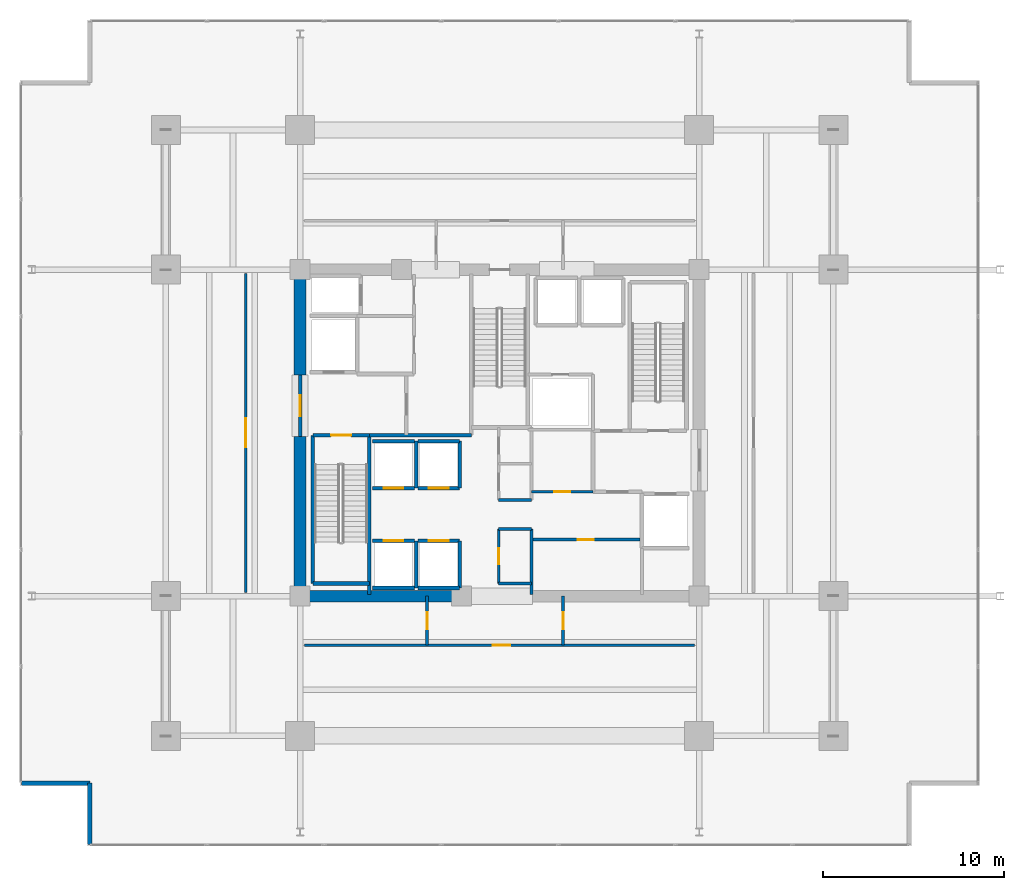
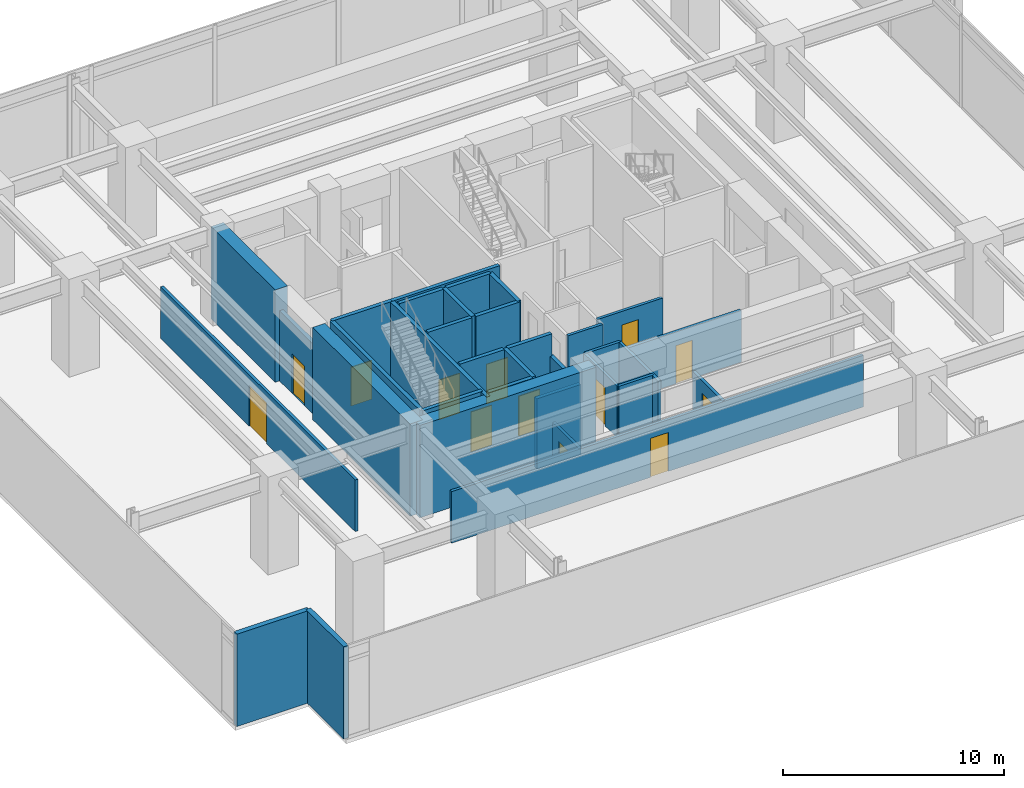
# One storey, part 20 of 23: 34 walls, 13 doors, 13 openings.
"""IFC4 building model written with IfcOpenShell, lengths in metres."""

import ifcopenshell
import ifcopenshell.guid

model = None  # the IFC model being written
_history = None  # IfcOwnerHistory: only IFC2X3 demands one
_inside = {}  # id of a spatial element -> (the spatial element, [elements in it])
_under = {}  # id of a project, library or spatial element -> (it, [spatial elements below it])
_declared = {}  # id of a project -> (the project, [libraries it declares])
_typed = {}  # id of a type object -> (the type object, [elements of that type])
_made_of = {}  # id of a material, layer set ... -> (it, [elements and type objects made of it])


def new_model(schema):
    """Start an empty IFC model of exactly this schema.

    Asked for "IFC4X3", IfcOpenShell would pick the latest addendum, in which some entities
    have other attributes; the version numbers below select the first issue.
    IFC2X3 requires an IfcOwnerHistory on every rooted entity: one is made here for all.
    """
    global model, _history
    if schema == "IFC4X3":
        model = ifcopenshell.file(schema_version=(4, 3, 0, 0))
    else:
        model = ifcopenshell.file(schema=schema)
    _inside.clear()
    _under.clear()
    _declared.clear()
    _typed.clear()
    _made_of.clear()
    _history = None
    if model.schema == "IFC2X3":
        org = make("IfcOrganization", Name="unknown")
        user = make(
            "IfcPersonAndOrganization",
            ThePerson=make("IfcPerson", FamilyName="unknown"),
            TheOrganization=org,
        )
        app = make(
            "IfcApplication",
            ApplicationDeveloper=org,
            Version="unknown",
            ApplicationFullName="unknown",
            ApplicationIdentifier="unknown",
        )
        _history = make(
            "IfcOwnerHistory",
            OwningUser=user,
            OwningApplication=app,
            ChangeAction="ADDED",
            CreationDate=0,
        )
    return model


def make(cls, **values):
    """One entity of the class cls with the attributes given. An attribute that is None is left unset."""
    return model.create_entity(
        cls, **{name: value for name, value in values.items() if value is not None}
    )


def rooted(cls, **values):
    """An entity with a GlobalId (a new one), such as an element, a storey or a relation."""
    return make(cls, GlobalId=ifcopenshell.guid.new(), OwnerHistory=_history, **values)


def si_unit(unit_type, name, prefix=None):
    """IfcSIUnit, for example si_unit("LENGTHUNIT", "METRE", prefix="MILLI")."""
    return make("IfcSIUnit", UnitType=unit_type, Prefix=prefix, Name=name)


def assignment(units):
    """IfcUnitAssignment: the units of a project."""
    return None if units is None else make("IfcUnitAssignment", Units=units)


def point(xyz):
    """IfcCartesianPoint."""
    return None if xyz is None else make("IfcCartesianPoint", Coordinates=xyz)


def direction(xyz):
    """IfcDirection."""
    return None if xyz is None else make("IfcDirection", DirectionRatios=xyz)


def frame(location, z_axis=None, x_axis=None):
    """IfcAxis2Placement3D, a coordinate frame: its origin and axes. An axis left out is left unset."""
    return make(
        "IfcAxis2Placement3D",
        Location=point(location),
        Axis=direction(z_axis),
        RefDirection=direction(x_axis),
    )


def frame_2d(location, x_axis=None):
    """IfcAxis2Placement2D, a coordinate frame in the plane: its origin and x axis."""
    return make(
        "IfcAxis2Placement2D", Location=point(location), RefDirection=direction(x_axis)
    )


def origin():
    """The frame at (0, 0, 0) with its axes left unset."""
    return frame((0.0, 0.0, 0.0))


def place(relative_to, where):
    """IfcLocalPlacement: puts the frame where relative to a parent placement (None: the world)."""
    return make(
        "IfcLocalPlacement", PlacementRelTo=relative_to, RelativePlacement=where
    )


def context(
    kind, dimensions, precision=None, world=None, true_north=None, identifier=None
):
    """IfcGeometricRepresentationContext, for example the 3D "Model" context."""
    return make(
        "IfcGeometricRepresentationContext",
        ContextIdentifier=identifier,
        ContextType=kind,
        CoordinateSpaceDimension=dimensions,
        Precision=precision,
        WorldCoordinateSystem=world,
        TrueNorth=true_north,
    )


def subcontext(parent, identifier, kind, view, scale=None):
    """IfcGeometricRepresentationSubContext, for example "Body" below "Model"."""
    return make(
        "IfcGeometricRepresentationSubContext",
        ContextIdentifier=identifier,
        ContextType=kind,
        ParentContext=parent,
        TargetScale=scale,
        TargetView=view,
    )


def project(units=None, contexts=None):
    """IfcProject with its units and contexts."""
    return rooted(
        "IfcProject",
        Name="project",
        RepresentationContexts=contexts,
        UnitsInContext=assignment(units),
    )


def spatial(cls, under=None, at=None, **own):
    """A site, building, storey or space (cls), placed at a placement, below another one or the project."""
    s = rooted(cls, ObjectPlacement=at, **own)
    if under is not None:
        _under.setdefault(under.id(), (under, []))[1].append(s)
    return s


def profile(cls, at=None, kind="AREA", **sizes):
    """A parametric profile (cls). Its sizes go by their IFC names, for example OverallWidth=200.0."""
    return make(cls, ProfileType=kind, Position=at, **sizes)


def rectangle(**sizes):
    """IfcRectangleProfileDef."""
    return profile("IfcRectangleProfileDef", **sizes)


def extrude(swept, where, along, depth):
    """IfcExtrudedAreaSolid: the profile swept, set in the frame where, extruded along a direction by depth."""
    return make(
        "IfcExtrudedAreaSolid",
        SweptArea=swept,
        Position=where,
        ExtrudedDirection=direction(along),
        Depth=depth,
    )


def shape(context_of_items, identifier, shape_type, items):
    """IfcShapeRepresentation: the items that make up one representation, for example the "Body"."""
    return make(
        "IfcShapeRepresentation",
        ContextOfItems=context_of_items,
        RepresentationIdentifier=identifier,
        RepresentationType=shape_type,
        Items=items,
    )


def material(Name=None, Category=None):
    """IfcMaterial."""
    return make("IfcMaterial", Name=Name, Category=Category)


def layer(
    of_material, thickness, ventilated=None, Name=None, Category=None, Priority=None
):
    """IfcMaterialLayer: one layer of a wall or slab, of a material (None: an air gap)."""
    return make(
        "IfcMaterialLayer",
        Material=of_material,
        LayerThickness=thickness,
        IsVentilated=ventilated,
        Name=Name,
        Category=Category,
        Priority=Priority,
    )


def layer_set(layers, Name=None):
    """IfcMaterialLayerSet."""
    return make("IfcMaterialLayerSet", MaterialLayers=layers, LayerSetName=Name)


def made_of(thing, what):
    """Note that an element or type object is made of a material, layer set ...; save() writes the relation."""
    if what is not None:
        _made_of.setdefault(what.id(), (what, []))[1].append(thing)
    return thing


def type_object(cls, material=None, **own):
    """A type object (cls), such as IfcWallType, which elements share."""
    return made_of(rooted(cls, **own), material)


def element(
    cls,
    number,
    at=None,
    inside=None,
    cuts=None,
    type_object=None,
    material=None,
    context=None,
    identifier="Body",
    shape_type=None,
    held_by="IfcProductDefinitionShape",
    body=None,
    shapes=None,
    **own,
):
    """One element of the class cls, such as IfcWall. Its Tag is "e" and its number.

    at: its placement. inside: the storey or other place that contains it. cuts: it is an
    opening in that element (IfcRelVoidsElement). A single representation is given by context,
    identifier, shape_type and body (its items); several are given by shapes. held_by: the class
    of the entity that holds the representations. save() writes the other relations.
    """
    e = rooted(cls, Tag="e%d" % number, ObjectPlacement=at, **own)
    if body is not None:
        shapes = [shape(context, identifier, shape_type, body)]
    if shapes is not None:
        e.Representation = make(held_by, Representations=shapes)
    if inside is not None:
        _inside.setdefault(inside.id(), (inside, []))[1].append(e)
    if cuts is not None:
        rooted(
            "IfcRelVoidsElement", RelatingBuildingElement=cuts, RelatedOpeningElement=e
        )
    if type_object is not None:
        _typed.setdefault(type_object.id(), (type_object, []))[1].append(e)
    return made_of(e, material)


def fill(opening, filler):
    """IfcRelFillsElement: the door or window that sits in an opening."""
    return rooted(
        "IfcRelFillsElement",
        RelatingOpeningElement=opening,
        RelatedBuildingElement=filler,
    )


def aggregate(whole, parts):
    """IfcRelAggregates: a whole, such as a stair, and the parts it consists of."""
    return rooted("IfcRelAggregates", RelatingObject=whole, RelatedObjects=parts)


def save(model, path):
    """Write the relations noted so far, then the file.

    IfcRelAggregates (storeys below a building ...), IfcRelContainedInSpatialStructure (elements
    in a storey), IfcRelDefinesByType, IfcRelAssociatesMaterial and IfcRelDeclares: one each for
    every whole, place, type object, material and project.
    """
    for whole, parts in _under.values():
        aggregate(whole, parts)
    for where, things in _inside.values():
        rooted(
            "IfcRelContainedInSpatialStructure",
            RelatedElements=things,
            RelatingStructure=where,
        )
    for kind, things in _typed.values():
        rooted("IfcRelDefinesByType", RelatedObjects=things, RelatingType=kind)
    for what, things in _made_of.values():
        rooted("IfcRelAssociatesMaterial", RelatedObjects=things, RelatingMaterial=what)
    for by, libraries in _declared.values():
        rooted("IfcRelDeclares", RelatingContext=by, RelatedDefinitions=libraries)
    model.write(path)


model = new_model("IFC4")

# Units and contexts
model_context = context("Model", 3, precision=1e-05, world=origin(), true_north=direction((0.0, 1.0)))
body_context = subcontext(model_context, "Body", "Model", "MODEL_VIEW")
ifc_project = project(units=[si_unit("LENGTHUNIT", "METRE"), si_unit("AREAUNIT", "SQUARE_METRE"), si_unit("VOLUMEUNIT", "CUBIC_METRE"), si_unit("PLANEANGLEUNIT", "RADIAN"), si_unit("MASSUNIT", "GRAM", prefix="KILO")], contexts=[model_context])

# Site, building, storey
site_placement = place(None, origin())
site = spatial("IfcSite", under=ifc_project, at=site_placement, CompositionType="ELEMENT")
building_placement = place(site_placement, origin())
building = spatial("IfcBuilding", under=site, at=building_placement, Name="Kovane Verandah Tower", CompositionType="ELEMENT")
storey_placement = place(building_placement, frame((0.0, 0.0, 107.60009765625)))
storey = spatial("IfcBuildingStorey", under=building, at=storey_placement, Name="L25", CompositionType="ELEMENT", Elevation=107.60009765625)

# Walls
ifc_material_1 = material(Name="Fire-Rated Gypsum Stud Partition", Category="gypsum")
ifc_layer_1 = layer(ifc_material_1, 0.14990234375)
ifc_layer_set_1 = layer_set([ifc_layer_1], Name="Fire-Rated Gypsum Stud Partition")
wall_type_1 = type_object("IfcWallType", Name="WL-COR-150", PredefinedType="PARTITIONING", material=ifc_layer_set_1)
for number, where, z_axis, x_axis, name in (
    (1, (39.949951171875, 19.199951171875, 0.0), (0.0, 0.0, 1.0), (1.0, 0.0, 0.0), "L25 Central Core Strip South Wall"),
    (2, (39.949951171875, 22.199951171875, 0.0), (0.0, 0.0, 1.0), (1.0, 0.0, 0.0), "L25 Core Cross-Passage South Wall"),
    (3, (39.949951171875, 23.800048828125, 0.0), (0.0, 0.0, 1.0), (1.0, 0.0, 0.0), "L25 Core Cross-Passage North Wall"),
):
    element("IfcWall", number, at=place(storey_placement, frame(where, z_axis=z_axis, x_axis=x_axis)), inside=storey, type_object=wall_type_1, Name=name, PredefinedType="PARTITIONING", context=body_context, shape_type="SweptSolid", body=[
        extrude(rectangle(XDim=1.81005859375, YDim=0.14990234375, at=frame_2d((0.905029296875, 0.0))), origin(), (0.0, 0.0, 1.0), 2.849853515625),
    ])
wall_1_placement = place(storey_placement, frame((41.760009765625, 18.60009765625, 0.0), z_axis=(0.0, 0.0, 1.0), x_axis=(0.0, 1.0, 0.0)))
element("IfcWall", 4, at=wall_1_placement, inside=storey, type_object=wall_type_1, Name="L25 Central Core Strip Lower East Wall", PredefinedType="PARTITIONING", context=body_context, shape_type="SweptSolid", body=[
    extrude(rectangle(XDim=3.599853515625, YDim=0.14990234375, at=frame_2d((1.7998046875, 0.0))), origin(), (0.0, 0.0, 1.0), 2.849853515625),
])

# Wall, opening, door
wall_2_placement = place(storey_placement, frame((39.949951171875, 19.199951171875, 0.0), z_axis=(0.0, 0.0, 1.0), x_axis=(0.0, 1.0, 0.0)))
wall_2 = element("IfcWall", 5, at=wall_2_placement, inside=storey, type_object=wall_type_1, Name="L25 Male Toilet Partition", PredefinedType="PARTITIONING", context=body_context, shape_type="SweptSolid", body=[
    extrude(rectangle(XDim=3.0, YDim=0.14990234375, at=frame_2d((1.5, 0.0))), origin(), (0.0, 0.0, 1.0), 2.849853515625),
])
opening_1_placement = place(wall_2_placement, frame((1.050048828125, 0.0, 0.0)))
opening_1 = element("IfcOpeningElement", 6, at=opening_1_placement, cuts=wall_2, Name="Opening DR-L25-024", PredefinedType="OPENING", context=body_context, shape_type="SweptSolid", body=[
    extrude(rectangle(XDim=0.89990234375, YDim=2.10009765625, at=frame_2d((0.449951171875, 1.050048828125))), frame((0.0, 0.074951171875, 0.0), z_axis=(0.0, -1.0, 0.0), x_axis=(1.0, 0.0, 0.0)), (0.0, 0.0, 1.0), 0.14990234375),
])
ifc_material_2 = material(Name="Moisture-Resistant Laminate Washroom Door", Category="wood")
door_type_1 = type_object("IfcDoorType", Name="DR-WC-900", OperationType="SINGLE_SWING_LEFT", PredefinedType="DOOR", material=ifc_material_2)
door_1_placement = place(opening_1_placement, origin())
door_1 = element("IfcDoor", 7, at=door_1_placement, inside=storey, type_object=door_type_1, Name="L25 Male Toilet Door", OperationType="SINGLE_SWING_LEFT", OverallHeight=2.10009765625, OverallWidth=0.89990234375, PredefinedType="DOOR", context=body_context, shape_type="SweptSolid", body=[
    extrude(rectangle(XDim=0.89990234375, YDim=2.10009765625, at=frame_2d((0.449951171875, 1.050048828125))), frame((0.0, 0.02490234375, 0.0), z_axis=(0.0, -1.0, 0.0), x_axis=(1.0, 0.0, 0.0)), (0.0, 0.0, 1.0), 0.050048828125),
])
fill(opening_1, door_1)

wall_3_placement = place(storey_placement, frame((41.760009765625, 21.6201171875, 0.0), z_axis=(0.0, 0.0, 1.0), x_axis=(1.0, 0.0, 0.0)))
wall_3 = element("IfcWall", 8, at=wall_3_placement, inside=storey, type_object=wall_type_1, Name="L25 Core Smoke Extract Fan Plant Room Partition", PredefinedType="PARTITIONING", context=body_context, shape_type="SweptSolid", body=[
    extrude(rectangle(XDim=5.97998046875, YDim=0.14990234375, at=frame_2d((2.989990234375, 0.0))), origin(), (0.0, 0.0, 1.0), 2.849853515625),
])
opening_2_placement = place(wall_3_placement, frame((2.550048828125, 0.0, 0.0)))
opening_2 = element("IfcOpeningElement", 9, at=opening_2_placement, cuts=wall_3, Name="Opening DR-L25-015", PredefinedType="OPENING", context=body_context, shape_type="SweptSolid", body=[
    extrude(rectangle(XDim=0.8798828125, YDim=2.10009765625, at=frame_2d((0.43994140625, 1.050048828125))), frame((0.0, 0.074951171875, 0.0), z_axis=(0.0, -1.0, 0.0), x_axis=(1.0, 0.0, 0.0)), (0.0, 0.0, 1.0), 0.14990234375),
])
ifc_material_3 = material(Name="Fire-Rated Steel Riser Access Door", Category="steel")
door_type_2 = type_object("IfcDoorType", Name="DR-RISER-880", OperationType="SINGLE_SWING_LEFT", PredefinedType="DOOR", material=ifc_material_3)
door_2_placement = place(opening_2_placement, origin())
door_2 = element("IfcDoor", 10, at=door_2_placement, inside=storey, type_object=door_type_2, Name="L25 Core Smoke Extract Fan Plant Room Door", OperationType="SINGLE_SWING_RIGHT", OverallHeight=2.10009765625, OverallWidth=0.8798828125, PredefinedType="DOOR", context=body_context, shape_type="SweptSolid", body=[
    extrude(rectangle(XDim=0.8798828125, YDim=2.10009765625, at=frame_2d((0.43994140625, 1.050048828125))), frame((0.0, 0.02490234375, 0.0), z_axis=(0.0, -1.0, 0.0), x_axis=(1.0, 0.0, 0.0)), (0.0, 0.0, 1.0), 0.050048828125),
])
fill(opening_2, door_2)

wall_4_placement = place(storey_placement, frame((41.760009765625, 24.25, 0.0), z_axis=(0.0, 0.0, 1.0), x_axis=(1.0, 0.0, 0.0)))
wall_4 = element("IfcWall", 11, at=wall_4_placement, inside=storey, type_object=wall_type_1, Name="L25 Cleaner Store Partition", PredefinedType="PARTITIONING", context=body_context, shape_type="SweptSolid", body=[
    extrude(rectangle(XDim=3.389892578125, YDim=0.14990234375, at=frame_2d((1.69482421875, 0.0))), origin(), (0.0, 0.0, 1.0), 2.849853515625),
])
opening_3_placement = place(wall_4_placement, frame((1.2548828125, 0.0, 0.0)))
opening_3 = element("IfcOpeningElement", 12, at=opening_3_placement, cuts=wall_4, Name="Opening DR-L25-016", PredefinedType="OPENING", context=body_context, shape_type="SweptSolid", body=[
    extrude(rectangle(XDim=0.8798828125, YDim=2.10009765625, at=frame_2d((0.43994140625, 1.050048828125))), frame((0.0, 0.074951171875, 0.0), z_axis=(0.0, -1.0, 0.0), x_axis=(1.0, 0.0, 0.0)), (0.0, 0.0, 1.0), 0.14990234375),
])
door_3_placement = place(opening_3_placement, origin())
door_3 = element("IfcDoor", 13, at=door_3_placement, inside=storey, type_object=door_type_2, Name="L25 Cleaner Store Door", OperationType="SINGLE_SWING_LEFT", OverallHeight=2.10009765625, OverallWidth=0.8798828125, PredefinedType="DOOR", context=body_context, shape_type="SweptSolid", body=[
    extrude(rectangle(XDim=0.8798828125, YDim=2.10009765625, at=frame_2d((0.43994140625, 1.050048828125))), frame((0.0, 0.02490234375, 0.0), z_axis=(0.0, -1.0, 0.0), x_axis=(1.0, 0.0, 0.0)), (0.0, 0.0, 1.0), 0.050048828125),
])
fill(opening_3, door_3)

wall_5_placement = place(storey_placement, frame((36.0, 15.800048828125, 0.0), z_axis=(0.0, 0.0, 1.0), x_axis=(0.0, 1.0, 0.0)))
wall_5 = element("IfcWall", 14, at=wall_5_placement, inside=storey, type_object=wall_type_1, Name="L25 South Refuge Stair Lobby West Fire Wall", PredefinedType="PARTITIONING", context=body_context, shape_type="SweptSolid", body=[
    extrude(rectangle(XDim=2.699951171875, YDim=0.14990234375, at=frame_2d((1.35009765625, 0.0))), origin(), (0.0, 0.0, 1.0), 2.849853515625),
])
opening_4_placement = place(wall_5_placement, frame((0.875, 0.0, 0.0)))
opening_4 = element("IfcOpeningElement", 15, at=opening_4_placement, cuts=wall_5, Name="Opening DR-L25-010", PredefinedType="OPENING", context=body_context, shape_type="SweptSolid", body=[
    extrude(rectangle(XDim=0.949951171875, YDim=2.14990234375, at=frame_2d((0.47509765625, 1.074951171875))), frame((0.0, 0.074951171875, 0.0), z_axis=(0.0, -1.0, 0.0), x_axis=(1.0, 0.0, 0.0)), (0.0, 0.0, 1.0), 0.14990234375),
])
ifc_material_4 = material(Name="Fire-Rated Steel Refuge and Lobby Door", Category="steel")
door_type_3 = type_object("IfcDoorType", Name="DR-FIRE-950", OperationType="SINGLE_SWING_LEFT", PredefinedType="DOOR", material=ifc_material_4)
door_4_placement = place(opening_4_placement, origin())
door_4 = element("IfcDoor", 16, at=door_4_placement, inside=storey, type_object=door_type_3, Name="L25 South Refuge Stair Lobby West Fire Door", OperationType="SINGLE_SWING_LEFT", OverallHeight=2.14990234375, OverallWidth=0.949951171875, PredefinedType="DOOR", context=body_context, shape_type="SweptSolid", body=[
    extrude(rectangle(XDim=0.949951171875, YDim=2.14990234375, at=frame_2d((0.47509765625, 1.074951171875))), frame((0.0, 0.02490234375, 0.0), z_axis=(0.0, -1.0, 0.0), x_axis=(1.0, 0.0, 0.0)), (0.0, 0.0, 1.0), 0.050048828125),
])
fill(opening_4, door_4)

wall_6_placement = place(storey_placement, frame((43.5, 15.800048828125, 0.0), z_axis=(0.0, 0.0, 1.0), x_axis=(0.0, 1.0, 0.0)))
wall_6 = element("IfcWall", 17, at=wall_6_placement, inside=storey, type_object=wall_type_1, Name="L25 South Refuge Stair Lobby East Fire Wall", PredefinedType="PARTITIONING", context=body_context, shape_type="SweptSolid", body=[
    extrude(rectangle(XDim=2.699951171875, YDim=0.14990234375, at=frame_2d((1.35009765625, 0.0))), origin(), (0.0, 0.0, 1.0), 2.849853515625),
])
opening_5_placement = place(wall_6_placement, frame((0.875, 0.0, 0.0)))
opening_5 = element("IfcOpeningElement", 18, at=opening_5_placement, cuts=wall_6, Name="Opening DR-L25-009", PredefinedType="OPENING", context=body_context, shape_type="SweptSolid", body=[
    extrude(rectangle(XDim=0.949951171875, YDim=2.14990234375, at=frame_2d((0.47509765625, 1.074951171875))), frame((0.0, 0.074951171875, 0.0), z_axis=(0.0, -1.0, 0.0), x_axis=(1.0, 0.0, 0.0)), (0.0, 0.0, 1.0), 0.14990234375),
])
door_5_placement = place(opening_5_placement, origin())
door_5 = element("IfcDoor", 19, at=door_5_placement, inside=storey, type_object=door_type_3, Name="L25 South Refuge Stair Lobby East Fire Door", OperationType="SINGLE_SWING_RIGHT", OverallHeight=2.14990234375, OverallWidth=0.949951171875, PredefinedType="DOOR", context=body_context, shape_type="SweptSolid", body=[
    extrude(rectangle(XDim=0.949951171875, YDim=2.14990234375, at=frame_2d((0.47509765625, 1.074951171875))), frame((0.0, 0.02490234375, 0.0), z_axis=(0.0, -1.0, 0.0), x_axis=(1.0, 0.0, 0.0)), (0.0, 0.0, 1.0), 0.050048828125),
])
fill(opening_5, door_5)

wall_7_placement = place(storey_placement, frame((29.25, 15.800048828125, 0.0), z_axis=(0.0, 0.0, 1.0), x_axis=(1.0, 0.0, 0.0)))
wall_7 = element("IfcWall", 20, at=wall_7_placement, inside=storey, type_object=wall_type_1, Name="L25 Open-Sided Refuge Area South Corridor Partition", PredefinedType="PARTITIONING", context=body_context, shape_type="SweptSolid", body=[
    extrude(rectangle(XDim=21.5, YDim=0.14990234375, at=frame_2d((10.75, 0.0))), origin(), (0.0, 0.0, 1.0), 2.849853515625),
])
opening_6_placement = place(wall_7_placement, frame((10.375, 0.0, 0.0)))
opening_6 = element("IfcOpeningElement", 21, at=opening_6_placement, cuts=wall_7, Name="Opening DR-L25-019", PredefinedType="OPENING", context=body_context, shape_type="SweptSolid", body=[
    extrude(rectangle(XDim=0.949951171875, YDim=2.14990234375, at=frame_2d((0.47509765625, 1.074951171875))), frame((0.0, 0.074951171875, 0.0), z_axis=(0.0, -1.0, 0.0), x_axis=(1.0, 0.0, 0.0)), (0.0, 0.0, 1.0), 0.14990234375),
])
door_6_placement = place(opening_6_placement, origin())
door_6 = element("IfcDoor", 22, at=door_6_placement, inside=storey, type_object=door_type_3, Name="L25 Open-Sided Refuge Area South Entrance Door", OperationType="SINGLE_SWING_RIGHT", OverallHeight=2.14990234375, OverallWidth=0.949951171875, PredefinedType="DOOR", context=body_context, shape_type="SweptSolid", body=[
    extrude(rectangle(XDim=0.949951171875, YDim=2.14990234375, at=frame_2d((0.47509765625, 1.074951171875))), frame((0.0, 0.02490234375, 0.0), z_axis=(0.0, -1.0, 0.0), x_axis=(1.0, 0.0, 0.0)), (0.0, 0.0, 1.0), 0.050048828125),
])
fill(opening_6, door_6)

wall_8_placement = place(storey_placement, frame((26.0, 18.699951171875, 0.0), z_axis=(0.0, 0.0, 1.0), x_axis=(0.0, 1.0, 0.0)))
wall_8 = element("IfcWall", 23, at=wall_8_placement, inside=storey, type_object=wall_type_1, Name="L25 Outrigger Mechanical Plant Room West Corridor Partition", PredefinedType="PARTITIONING", context=body_context, shape_type="SweptSolid", body=[
    extrude(rectangle(XDim=17.60009765625, YDim=0.14990234375, at=frame_2d((8.800048828125, 0.0))), origin(), (0.0, 0.0, 1.0), 2.849853515625),
])
opening_7_placement = place(wall_8_placement, frame((8.0, 0.0, 0.0)))
opening_7 = element("IfcOpeningElement", 24, at=opening_7_placement, cuts=wall_8, Name="Opening DR-L25-021", PredefinedType="OPENING", context=body_context, shape_type="SweptSolid", body=[
    extrude(rectangle(XDim=1.60009765625, YDim=2.25, at=frame_2d((0.800048828125, 1.125))), frame((0.0, 0.074951171875, 0.0), z_axis=(0.0, -1.0, 0.0), x_axis=(1.0, 0.0, 0.0)), (0.0, 0.0, 1.0), 0.14990234375),
])
ifc_material_5 = material(Name="Louvred Acoustic Steel Double Plant Door", Category="steel")
door_type_4 = type_object("IfcDoorType", Name="DR-PLANT-1600", OperationType="DOUBLE_DOOR_SINGLE_SWING", PredefinedType="DOOR", material=ifc_material_5)
door_7_placement = place(opening_7_placement, origin())
door_7 = element("IfcDoor", 25, at=door_7_placement, inside=storey, type_object=door_type_4, Name="L25 Outrigger Mechanical Plant Room West Entrance Door", OperationType="DOUBLE_DOOR_SINGLE_SWING", OverallHeight=2.25, OverallWidth=1.60009765625, PredefinedType="DOOR", context=body_context, shape_type="SweptSolid", body=[
    extrude(rectangle(XDim=1.60009765625, YDim=2.25, at=frame_2d((0.800048828125, 1.125))), frame((0.0, 0.02490234375, 0.0), z_axis=(0.0, -1.0, 0.0), x_axis=(1.0, 0.0, 0.0)), (0.0, 0.0, 1.0), 0.050048828125),
])
fill(opening_7, door_7)

# Walls
ifc_material_6 = material(Name="Concrete C80/95", Category="concrete")
ifc_layer_2 = layer(ifc_material_6, 0.64990234375)
ifc_layer_set_2 = layer_set([ifc_layer_2], Name="Concrete C80/95")
wall_type_2 = type_object("IfcWallType", Name="WL-CORE-650", PredefinedType="SHEAR", material=ifc_layer_set_2)
wall_9_placement = place(storey_placement, frame((29.0, 18.5, 0.0), z_axis=(0.0, 0.0, 1.0), x_axis=(1.0, 0.0, 0.0)))
element("IfcWall", 26, at=wall_9_placement, inside=storey, type_object=wall_type_2, Name="L25 Core Shear Wall CS-1", PredefinedType="SHEAR", context=body_context, shape_type="SweptSolid", body=[
    extrude(rectangle(XDim=9.199951171875, YDim=0.64990234375, at=frame_2d((4.60009765625, 0.0))), origin(), (0.0, 0.0, 1.0), 5.099853515625),
])
wall_10_placement = place(storey_placement, frame((29.0, 18.5, 0.0), z_axis=(0.0, 0.0, 1.0), x_axis=(0.0, 1.0, 0.0)))
element("IfcWall", 27, at=wall_10_placement, inside=storey, type_object=wall_type_2, Name="L25 Core Shear Wall CW-1", PredefinedType="SHEAR", context=body_context, shape_type="SweptSolid", body=[
    extrude(rectangle(XDim=8.800048828125, YDim=0.64990234375, at=frame_2d((4.39990234375, 0.0))), origin(), (0.0, 0.0, 1.0), 5.099853515625),
])
wall_11_placement = place(storey_placement, frame((29.0, 30.699951171875, 0.0), z_axis=(0.0, 0.0, 1.0), x_axis=(0.0, 1.0, 0.0)))
element("IfcWall", 28, at=wall_11_placement, inside=storey, type_object=wall_type_2, Name="L25 Core Shear Wall CW-2", PredefinedType="SHEAR", context=body_context, shape_type="SweptSolid", body=[
    extrude(rectangle(XDim=5.800048828125, YDim=0.64990234375, at=frame_2d((2.89990234375, 0.0))), origin(), (0.0, 0.0, 1.0), 5.099853515625),
])

# Wall, opening, door
ifc_material_7 = material(Name="Concrete C45/55 Fire Wall", Category="concrete")
ifc_layer_3 = layer(ifc_material_7, 0.199951171875)
ifc_layer_set_3 = layer_set([ifc_layer_3], Name="Concrete C45/55 Fire Wall")
wall_type_3 = type_object("IfcWallType", Name="WL-FFL-200", PredefinedType="PARTITIONING", material=ifc_layer_set_3)
wall_12_placement = place(storey_placement, frame((29.0, 27.300048828125, 0.0), z_axis=(0.0, 0.0, 1.0), x_axis=(0.0, 1.0, 0.0)))
wall_12 = element("IfcWall", 29, at=wall_12_placement, inside=storey, type_object=wall_type_3, Name="W-L25-FFLW-OUT", PredefinedType="PARTITIONING", context=body_context, shape_type="SweptSolid", body=[
    extrude(rectangle(XDim=3.39990234375, YDim=0.199951171875, at=frame_2d((1.699951171875, 0.0))), origin(), (0.0, 0.0, 1.0), 3.8798828125),
])
opening_8_placement = place(wall_12_placement, frame((1.125, 0.0, 0.0)))
opening_8 = element("IfcOpeningElement", 30, at=opening_8_placement, cuts=wall_12, Name="Opening DR-L25-005", PredefinedType="OPENING", context=body_context, shape_type="SweptSolid", body=[
    extrude(rectangle(XDim=1.14990234375, YDim=2.199951171875, at=frame_2d((0.574951171875, 1.10009765625))), frame((0.0, 0.10009765625, 0.0), z_axis=(0.0, -1.0, 0.0), x_axis=(1.0, 0.0, 0.0)), (0.0, 0.0, 1.0), 0.199951171875),
])
ifc_material_8 = material(Name="Smoke-Sealed Firefighting Lobby Door", Category="steel")
door_type_5 = type_object("IfcDoorType", Name="DR-FFL-1150", OperationType="SINGLE_SWING_LEFT", PredefinedType="DOOR", material=ifc_material_8)
door_8_placement = place(opening_8_placement, origin())
door_8 = element("IfcDoor", 31, at=door_8_placement, inside=storey, type_object=door_type_5, Name="L25 West Firefighting Lobby Corridor Door", OperationType="SINGLE_SWING_RIGHT", OverallHeight=2.199951171875, OverallWidth=1.14990234375, PredefinedType="DOOR", context=body_context, shape_type="SweptSolid", body=[
    extrude(rectangle(XDim=1.14990234375, YDim=2.199951171875, at=frame_2d((0.574951171875, 1.10009765625))), frame((0.0, 0.02490234375, 0.0), z_axis=(0.0, -1.0, 0.0), x_axis=(1.0, 0.0, 0.0)), (0.0, 0.0, 1.0), 0.050048828125),
])
fill(opening_8, door_8)

# Walls
wall_13_placement = place(storey_placement, frame((32.820068359375, 27.3798828125, 0.0), z_axis=(0.0, 0.0, 1.0), x_axis=(1.0, 0.0, 0.0)))
element("IfcWall", 32, at=wall_13_placement, inside=storey, type_object=wall_type_3, Name="L25 West Firefighting Lobby South Fire Wall", PredefinedType="PARTITIONING", context=body_context, shape_type="SweptSolid", body=[
    extrude(rectangle(XDim=5.619873046875, YDim=0.199951171875, at=frame_2d((2.81005859375, 0.0))), origin(), (0.0, 0.0, 1.0), 5.099853515625),
])
ifc_material_9 = material(Name="Concrete C45/55 Lift Shaft Wall", Category="concrete")
ifc_layer_4 = layer(ifc_material_9, 0.199951171875)
ifc_layer_set_4 = layer_set([ifc_layer_4], Name="Concrete C45/55 Lift Shaft Wall")
wall_type_4 = type_object("IfcWallType", Name="WL-LIFT-200", PredefinedType="SOLIDWALL", material=ifc_layer_set_4)
wall_14_placement = place(storey_placement, frame((33.0, 18.949951171875, 0.0), z_axis=(0.0, 0.0, 1.0), x_axis=(1.0, 0.0, 0.0)))
element("IfcWall", 33, at=wall_14_placement, inside=storey, type_object=wall_type_4, Name="L25 Lift PL-L1 S Shaft Wall", PredefinedType="SOLIDWALL", context=body_context, shape_type="SweptSolid", body=[
    extrude(rectangle(XDim=2.300048828125, YDim=0.199951171875, at=frame_2d((1.14990234375, 0.0))), origin(), (0.0, 0.0, 1.0), 5.099853515625),
])

# Wall, opening, door
wall_15_placement = place(storey_placement, frame((35.300048828125, 21.550048828125, 0.0), z_axis=(0.0, 0.0, 1.0), x_axis=(-1.0, 0.0, 0.0)))
wall_15 = element("IfcWall", 34, at=wall_15_placement, inside=storey, type_object=wall_type_4, Name="L25 Lift PL-L1 N Shaft Wall", PredefinedType="SOLIDWALL", context=body_context, shape_type="SweptSolid", body=[
    extrude(rectangle(XDim=2.300048828125, YDim=0.199951171875, at=frame_2d((1.14990234375, 0.0))), origin(), (0.0, 0.0, 1.0), 5.099853515625),
])
opening_9_placement = place(wall_15_placement, frame((0.60009765625, 0.0, 0.0)))
opening_9 = element("IfcOpeningElement", 35, at=opening_9_placement, cuts=wall_15, Name="Opening LD-L25-004", PredefinedType="OPENING", context=body_context, shape_type="SweptSolid", body=[
    extrude(rectangle(XDim=1.10009765625, YDim=2.199951171875, at=frame_2d((0.550048828125, 1.10009765625))), frame((0.0, 0.10009765625, 0.0), z_axis=(0.0, -1.0, 0.0), x_axis=(1.0, 0.0, 0.0)), (0.0, 0.0, 1.0), 0.199951171875),
])
ifc_material_10 = material(Name="Brushed Stainless Steel Sliding Lift Landing Door", Category="steel")
door_type_6 = type_object("IfcDoorType", Name="DR-LIFT-1100", OperationType="SLIDING_TO_RIGHT", PredefinedType="DOOR", material=ifc_material_10)
door_9_placement = place(opening_9_placement, origin())
door_9 = element("IfcDoor", 36, at=door_9_placement, inside=storey, type_object=door_type_6, Name="L25 Lift PL-L1 Sliding Landing Door", OperationType="SLIDING_TO_RIGHT", OverallHeight=2.199951171875, OverallWidth=1.10009765625, PredefinedType="DOOR", context=body_context, shape_type="SweptSolid", body=[
    extrude(rectangle(XDim=1.10009765625, YDim=2.199951171875, at=frame_2d((0.550048828125, 1.10009765625))), frame((0.0, 0.02490234375, 0.0), z_axis=(0.0, -1.0, 0.0), x_axis=(1.0, 0.0, 0.0)), (0.0, 0.0, 1.0), 0.050048828125),
])
fill(opening_9, door_9)

# Walls
wall_16_placement = place(storey_placement, frame((35.39990234375, 18.949951171875, 0.0), z_axis=(0.0, 0.0, 1.0), x_axis=(0.0, 1.0, 0.0)))
element("IfcWall", 37, at=wall_16_placement, inside=storey, type_object=wall_type_4, Name="L25 Lift PL-L1 and PL-L2 Shared Shaft Wall", PredefinedType="SOLIDWALL", context=body_context, shape_type="SweptSolid", body=[
    extrude(rectangle(XDim=2.60009765625, YDim=0.199951171875, at=frame_2d((1.300048828125, 0.0))), origin(), (0.0, 0.0, 1.0), 5.099853515625),
])
wall_17_placement = place(storey_placement, frame((35.5, 18.949951171875, 0.0), z_axis=(0.0, 0.0, 1.0), x_axis=(1.0, 0.0, 0.0)))
element("IfcWall", 38, at=wall_17_placement, inside=storey, type_object=wall_type_4, Name="L25 Lift PL-L2 S Shaft Wall", PredefinedType="SOLIDWALL", context=body_context, shape_type="SweptSolid", body=[
    extrude(rectangle(XDim=2.300048828125, YDim=0.199951171875, at=frame_2d((1.14990234375, 0.0))), origin(), (0.0, 0.0, 1.0), 3.8798828125),
])

# Wall, opening, door
wall_18_placement = place(storey_placement, frame((37.800048828125, 21.550048828125, 0.0), z_axis=(0.0, 0.0, 1.0), x_axis=(-1.0, 0.0, 0.0)))
wall_18 = element("IfcWall", 39, at=wall_18_placement, inside=storey, type_object=wall_type_4, Name="L25 Lift PL-L2 N Shaft Wall", PredefinedType="SOLIDWALL", context=body_context, shape_type="SweptSolid", body=[
    extrude(rectangle(XDim=2.300048828125, YDim=0.199951171875, at=frame_2d((1.14990234375, 0.0))), origin(), (0.0, 0.0, 1.0), 5.099853515625),
])
opening_10_placement = place(wall_18_placement, frame((0.60009765625, 0.0, 0.0)))
opening_10 = element("IfcOpeningElement", 40, at=opening_10_placement, cuts=wall_18, Name="Opening LD-L25-005", PredefinedType="OPENING", context=body_context, shape_type="SweptSolid", body=[
    extrude(rectangle(XDim=1.10009765625, YDim=2.199951171875, at=frame_2d((0.550048828125, 1.10009765625))), frame((0.0, 0.10009765625, 0.0), z_axis=(0.0, -1.0, 0.0), x_axis=(1.0, 0.0, 0.0)), (0.0, 0.0, 1.0), 0.199951171875),
])
door_10_placement = place(opening_10_placement, origin())
door_10 = element("IfcDoor", 41, at=door_10_placement, inside=storey, type_object=door_type_6, Name="L25 Lift PL-L2 Sliding Landing Door", OperationType="SLIDING_TO_RIGHT", OverallHeight=2.199951171875, OverallWidth=1.10009765625, PredefinedType="DOOR", context=body_context, shape_type="SweptSolid", body=[
    extrude(rectangle(XDim=1.10009765625, YDim=2.199951171875, at=frame_2d((0.550048828125, 1.10009765625))), frame((0.0, 0.02490234375, 0.0), z_axis=(0.0, -1.0, 0.0), x_axis=(1.0, 0.0, 0.0)), (0.0, 0.0, 1.0), 0.050048828125),
])
fill(opening_10, door_10)

# Wall
wall_19_placement = place(storey_placement, frame((37.800048828125, 18.949951171875, 0.0), z_axis=(0.0, 0.0, 1.0), x_axis=(0.0, 1.0, 0.0)))
element("IfcWall", 42, at=wall_19_placement, inside=storey, type_object=wall_type_4, Name="L25 Lift PL-L2 E Shaft Wall", PredefinedType="SOLIDWALL", context=body_context, shape_type="SweptSolid", body=[
    extrude(rectangle(XDim=2.60009765625, YDim=0.199951171875, at=frame_2d((1.300048828125, 0.0))), origin(), (0.0, 0.0, 1.0), 3.8798828125),
])

# Wall, opening, door
wall_20_placement = place(storey_placement, frame((33.0, 24.449951171875, 0.0), z_axis=(0.0, 0.0, 1.0), x_axis=(1.0, 0.0, 0.0)))
wall_20 = element("IfcWall", 43, at=wall_20_placement, inside=storey, type_object=wall_type_4, Name="L25 Lift PL-L3 S Shaft Wall", PredefinedType="SOLIDWALL", context=body_context, shape_type="SweptSolid", body=[
    extrude(rectangle(XDim=2.300048828125, YDim=0.199951171875, at=frame_2d((1.14990234375, 0.0))), origin(), (0.0, 0.0, 1.0), 5.099853515625),
])
opening_11_placement = place(wall_20_placement, frame((0.60009765625, 0.0, 0.0)))
opening_11 = element("IfcOpeningElement", 44, at=opening_11_placement, cuts=wall_20, Name="Opening LD-L25-006", PredefinedType="OPENING", context=body_context, shape_type="SweptSolid", body=[
    extrude(rectangle(XDim=1.10009765625, YDim=2.199951171875, at=frame_2d((0.550048828125, 1.10009765625))), frame((0.0, 0.10009765625, 0.0), z_axis=(0.0, -1.0, 0.0), x_axis=(1.0, 0.0, 0.0)), (0.0, 0.0, 1.0), 0.199951171875),
])
door_11_placement = place(opening_11_placement, origin())
door_11 = element("IfcDoor", 45, at=door_11_placement, inside=storey, type_object=door_type_6, Name="L25 Lift PL-L3 Sliding Landing Door", OperationType="SLIDING_TO_RIGHT", OverallHeight=2.199951171875, OverallWidth=1.10009765625, PredefinedType="DOOR", context=body_context, shape_type="SweptSolid", body=[
    extrude(rectangle(XDim=1.10009765625, YDim=2.199951171875, at=frame_2d((0.550048828125, 1.10009765625))), frame((0.0, 0.02490234375, 0.0), z_axis=(0.0, -1.0, 0.0), x_axis=(1.0, 0.0, 0.0)), (0.0, 0.0, 1.0), 0.050048828125),
])
fill(opening_11, door_11)

# Walls
wall_21_placement = place(storey_placement, frame((35.300048828125, 27.050048828125, 0.0), z_axis=(0.0, 0.0, 1.0), x_axis=(-1.0, 0.0, 0.0)))
element("IfcWall", 46, at=wall_21_placement, inside=storey, type_object=wall_type_4, Name="L25 Lift PL-L3 N Shaft Wall", PredefinedType="SOLIDWALL", context=body_context, shape_type="SweptSolid", body=[
    extrude(rectangle(XDim=2.300048828125, YDim=0.199951171875, at=frame_2d((1.14990234375, 0.0))), origin(), (0.0, 0.0, 1.0), 5.099853515625),
])
wall_22_placement = place(storey_placement, frame((35.39990234375, 24.449951171875, 0.0), z_axis=(0.0, 0.0, 1.0), x_axis=(0.0, 1.0, 0.0)))
element("IfcWall", 47, at=wall_22_placement, inside=storey, type_object=wall_type_4, Name="L25 Lift PL-L3 and PL-L4 Shared Shaft Wall", PredefinedType="SOLIDWALL", context=body_context, shape_type="SweptSolid", body=[
    extrude(rectangle(XDim=2.60009765625, YDim=0.199951171875, at=frame_2d((1.300048828125, 0.0))), origin(), (0.0, 0.0, 1.0), 5.099853515625),
])

# Wall, opening, door
wall_23_placement = place(storey_placement, frame((35.5, 24.449951171875, 0.0), z_axis=(0.0, 0.0, 1.0), x_axis=(1.0, 0.0, 0.0)))
wall_23 = element("IfcWall", 48, at=wall_23_placement, inside=storey, type_object=wall_type_4, Name="L25 Lift PL-L4 S Shaft Wall", PredefinedType="SOLIDWALL", context=body_context, shape_type="SweptSolid", body=[
    extrude(rectangle(XDim=2.300048828125, YDim=0.199951171875, at=frame_2d((1.14990234375, 0.0))), origin(), (0.0, 0.0, 1.0), 5.099853515625),
])
opening_12_placement = place(wall_23_placement, frame((0.60009765625, 0.0, 0.0)))
opening_12 = element("IfcOpeningElement", 49, at=opening_12_placement, cuts=wall_23, Name="Opening LD-L25-007", PredefinedType="OPENING", context=body_context, shape_type="SweptSolid", body=[
    extrude(rectangle(XDim=1.10009765625, YDim=2.199951171875, at=frame_2d((0.550048828125, 1.10009765625))), frame((0.0, 0.10009765625, 0.0), z_axis=(0.0, -1.0, 0.0), x_axis=(1.0, 0.0, 0.0)), (0.0, 0.0, 1.0), 0.199951171875),
])
door_12_placement = place(opening_12_placement, origin())
door_12 = element("IfcDoor", 50, at=door_12_placement, inside=storey, type_object=door_type_6, Name="L25 Lift PL-L4 Sliding Landing Door", OperationType="SLIDING_TO_RIGHT", OverallHeight=2.199951171875, OverallWidth=1.10009765625, PredefinedType="DOOR", context=body_context, shape_type="SweptSolid", body=[
    extrude(rectangle(XDim=1.10009765625, YDim=2.199951171875, at=frame_2d((0.550048828125, 1.10009765625))), frame((0.0, 0.02490234375, 0.0), z_axis=(0.0, -1.0, 0.0), x_axis=(1.0, 0.0, 0.0)), (0.0, 0.0, 1.0), 0.050048828125),
])
fill(opening_12, door_12)

# Walls
wall_24_placement = place(storey_placement, frame((37.800048828125, 27.050048828125, 0.0), z_axis=(0.0, 0.0, 1.0), x_axis=(-1.0, 0.0, 0.0)))
element("IfcWall", 51, at=wall_24_placement, inside=storey, type_object=wall_type_4, Name="L25 Lift PL-L4 N Shaft Wall", PredefinedType="SOLIDWALL", context=body_context, shape_type="SweptSolid", body=[
    extrude(rectangle(XDim=2.300048828125, YDim=0.199951171875, at=frame_2d((1.14990234375, 0.0))), origin(), (0.0, 0.0, 1.0), 5.099853515625),
])
wall_25_placement = place(storey_placement, frame((37.800048828125, 24.449951171875, 0.0), z_axis=(0.0, 0.0, 1.0), x_axis=(0.0, 1.0, 0.0)))
element("IfcWall", 52, at=wall_25_placement, inside=storey, type_object=wall_type_4, Name="L25 Lift PL-L4 E Shaft Wall", PredefinedType="SOLIDWALL", context=body_context, shape_type="SweptSolid", body=[
    extrude(rectangle(XDim=2.60009765625, YDim=0.199951171875, at=frame_2d((1.300048828125, 0.0))), origin(), (0.0, 0.0, 1.0), 5.099853515625),
])
ifc_material_11 = material(Name="Concrete C45/55", Category="concrete")
ifc_layer_5 = layer(ifc_material_11, 0.199951171875)
ifc_layer_set_5 = layer_set([ifc_layer_5], Name="Concrete C45/55")
wall_type_5 = type_object("IfcWallType", Name="WL-SHAFT-200", PredefinedType="SOLIDWALL", material=ifc_layer_set_5)
wall_26_placement = place(storey_placement, frame((29.699951171875, 19.199951171875, 0.0), z_axis=(0.0, 0.0, 1.0), x_axis=(0.0, 1.0, 0.0)))
element("IfcWall", 53, at=wall_26_placement, inside=storey, type_object=wall_type_5, Name="W-L25-ST01-W", PredefinedType="SOLIDWALL", context=body_context, shape_type="SweptSolid", body=[
    extrude(rectangle(XDim=8.150146484375, YDim=0.199951171875, at=frame_2d((4.0751953125, 0.0))), origin(), (0.0, 0.0, 1.0), 5.099853515625),
])
wall_27_placement = place(storey_placement, frame((29.699951171875, 19.199951171875, 0.0), z_axis=(0.0, 0.0, 1.0), x_axis=(1.0, 0.0, 0.0)))
element("IfcWall", 54, at=wall_27_placement, inside=storey, type_object=wall_type_5, Name="W-L25-ST01-S", PredefinedType="SOLIDWALL", context=body_context, shape_type="SweptSolid", body=[
    extrude(rectangle(XDim=3.1201171875, YDim=0.199951171875, at=frame_2d((1.56005859375, 0.0))), origin(), (0.0, 0.0, 1.0), 5.099853515625),
])
wall_28_placement = place(storey_placement, frame((32.820068359375, 18.60009765625, 0.0), z_axis=(0.0, 0.0, 1.0), x_axis=(0.0, 1.0, 0.0)))
element("IfcWall", 55, at=wall_28_placement, inside=storey, type_object=wall_type_5, Name="W-L25-ST01-E", PredefinedType="SOLIDWALL", context=body_context, shape_type="SweptSolid", body=[
    extrude(rectangle(XDim=8.77978515625, YDim=0.199951171875, at=frame_2d((4.389892578125, 0.0))), origin(), (0.0, 0.0, 1.0), 5.099853515625),
])

# Wall, opening, door
wall_29_placement = place(storey_placement, frame((29.699951171875, 27.3798828125, 0.0), z_axis=(0.0, 0.0, 1.0), x_axis=(1.0, 0.0, 0.0)))
wall_29 = element("IfcWall", 56, at=wall_29_placement, inside=storey, type_object=wall_type_5, Name="W-L25-ST01-N", PredefinedType="SOLIDWALL", context=body_context, shape_type="SweptSolid", body=[
    extrude(rectangle(XDim=3.1201171875, YDim=0.199951171875, at=frame_2d((1.56005859375, 0.0))), origin(), (0.0, 0.0, 1.0), 5.099853515625),
])
opening_13_placement = place(wall_29_placement, frame((1.010009765625, 0.0, 0.0)))
opening_13 = element("IfcOpeningElement", 57, at=opening_13_placement, cuts=wall_29, Name="Opening DR-L25-011", PredefinedType="OPENING", context=body_context, shape_type="SweptSolid", body=[
    extrude(rectangle(XDim=1.10009765625, YDim=2.14990234375, at=frame_2d((0.550048828125, 1.074951171875))), frame((0.0, 0.10009765625, 0.0), z_axis=(0.0, -1.0, 0.0), x_axis=(1.0, 0.0, 0.0)), (0.0, 0.0, 1.0), 0.199951171875),
])
ifc_material_12 = material(Name="Fire-Rated Steel Exit Door", Category="steel")
door_type_7 = type_object("IfcDoorType", Name="DR-STAIR-1100", OperationType="SINGLE_SWING_LEFT", PredefinedType="DOOR", material=ifc_material_12)
door_13_placement = place(opening_13_placement, origin())
door_13 = element("IfcDoor", 58, at=door_13_placement, inside=storey, type_object=door_type_7, Name="L25 ST-01 Fire Exit Stair Door", OperationType="SINGLE_SWING_RIGHT", OverallHeight=2.14990234375, OverallWidth=1.10009765625, PredefinedType="DOOR", context=body_context, shape_type="SweptSolid", body=[
    extrude(rectangle(XDim=1.10009765625, YDim=2.14990234375, at=frame_2d((0.550048828125, 1.074951171875))), frame((0.0, 0.02490234375, 0.0), z_axis=(0.0, -1.0, 0.0), x_axis=(1.0, 0.0, 0.0)), (0.0, 0.0, 1.0), 0.050048828125),
])
fill(opening_13, door_13)

# Walls
ifc_material_13 = material(Name="Concrete C45/55 Insulated Spandrel Wall", Category="concrete")
ifc_layer_6 = layer(ifc_material_13, 0.260009765625)
ifc_layer_set_6 = layer_set([ifc_layer_6], Name="Concrete C45/55 Insulated Spandrel Wall")
wall_type_6 = type_object("IfcWallType", Name="WL-SPANDREL-260", PredefinedType="PARAPET", material=ifc_layer_set_6)
wall_30_placement = place(storey_placement, frame((13.613037109375, 8.189208984375, 0.0), z_axis=(0.0, 0.0, 1.0), x_axis=(1.0, 0.0, 0.0)))
element("IfcWall", 59, at=wall_30_placement, inside=storey, type_object=wall_type_6, Name="L25 SW Notch Cheek Wall 1", PredefinedType="PARAPET", context=body_context, shape_type="SweptSolid", body=[
    extrude(rectangle(XDim=3.800048828125, YDim=0.260009765625, at=frame_2d((1.89990234375, 0.0))), origin(), (0.0, 0.0, 1.0), 5.099853515625),
])
wall_31_placement = place(storey_placement, frame((17.4130859375, 8.189208984375, 0.0), z_axis=(0.0, 0.0, 1.0), x_axis=(0.0, -1.0, 0.0)))
element("IfcWall", 60, at=wall_31_placement, inside=storey, type_object=wall_type_6, Name="L25 SW Notch Cheek Wall 2", PredefinedType="PARAPET", context=body_context, shape_type="SweptSolid", body=[
    extrude(rectangle(XDim=3.400146484375, YDim=0.260009765625, at=frame_2d((1.7001953125, 0.0))), origin(), (0.0, 0.0, 1.0), 5.099853515625),
])

save(model, "model.ifc")
